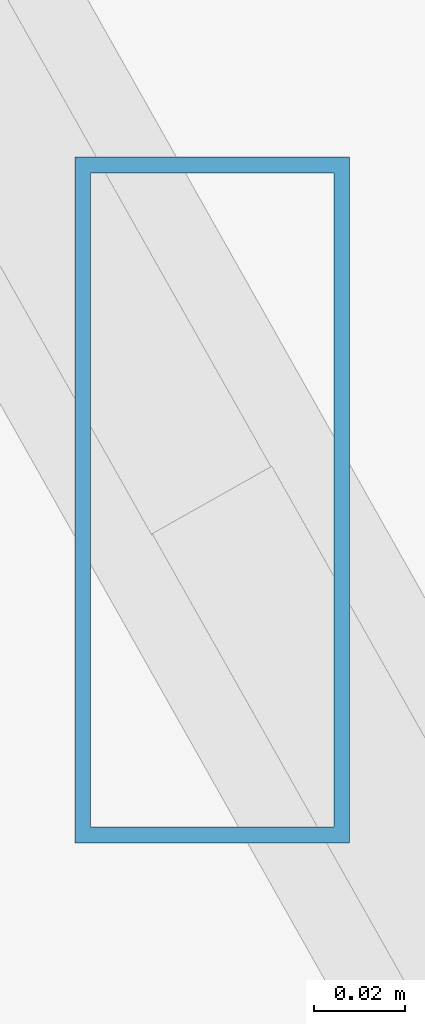
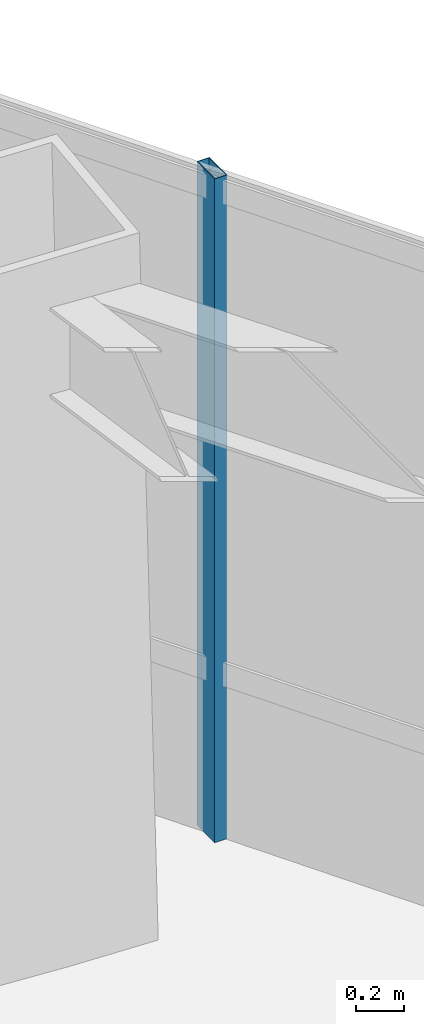
# One storey, part 32 of 42: 1 member, 1 element without a shape of its own.
"""IFC4 building model written with IfcOpenShell, lengths in metres."""

from ifc_helpers import new_model, si_unit, direction, frame, origin, origin_2d, place, context, subcontext, project, spatial, hollow_rectangle, extrude, source, transform, mapped, material, material_profile, profile_set, type_object, type_shapes, element, aggregate, save


model = new_model("IFC4")

# Units and contexts
model_context = context("Model", 3, precision=1e-05, world=origin(), true_north=direction((0.0, 1.0)))
body_context = subcontext(model_context, "Body", "Model", "MODEL_VIEW")
ifc_project = project(units=[si_unit("LENGTHUNIT", "METRE"), si_unit("AREAUNIT", "SQUARE_METRE"), si_unit("VOLUMEUNIT", "CUBIC_METRE"), si_unit("PLANEANGLEUNIT", "RADIAN"), si_unit("MASSUNIT", "GRAM", prefix="KILO")], contexts=[model_context])

# Site, building, storey
site_placement = place(None, origin())
site = spatial("IfcSite", under=ifc_project, at=site_placement, CompositionType="ELEMENT")
building_placement = place(site_placement, origin())
building = spatial("IfcBuilding", under=site, at=building_placement, Name="Caelisora Broadcast Tower", CompositionType="ELEMENT")
storey_placement = place(building_placement, frame((0.0, 0.0, 187.699951171875)))
storey = spatial("IfcBuildingStorey", under=building, at=storey_placement, Name="L49", CompositionType="ELEMENT", Elevation=187.699951171875)

# Curtain wall, member
ifc_material_1 = material(Name="Unitised Aluminium and Low-E Glass Curtain Wall", Category="glass")
curtain_wall_type = type_object("IfcCurtainWallType", Name="CW-Z4", PredefinedType="NOTDEFINED", material=ifc_material_1)
curtain_wall_placement = place(storey_placement, origin())
curtain_wall = element("IfcCurtainWall", 1, at=curtain_wall_placement, inside=storey, type_object=curtain_wall_type, Name="L49 curtain wall CW-Z4", PredefinedType="NOTDEFINED")
ifc_material_2 = material(Name="Aluminium 6063-T6 Anodised Terracotta Bronze", Category="aluminium")
ifc_material_profile = material_profile(ifc_material_2, hollow_rectangle(XDim=0.06005859375, YDim=0.14990234375, WallThickness=0.00341796875, at=origin_2d()), Name="Aluminium 6063-T6 Anodised Terracotta Bronze")
ifc_profile_set = profile_set([ifc_material_profile], Name="Aluminium 6063-T6 Anodised Terracotta Bronze")
member_type = type_object("IfcMemberType", Name="CWM-03", PredefinedType="MULLION", material=ifc_profile_set)
shared_shape = source(origin(), body_context, "Body", "SweptSolid", [
    extrude(hollow_rectangle(XDim=0.06005859375, YDim=0.14990234375, WallThickness=0.00341796875, at=origin_2d()), origin(), (0.0, 0.0, 1.0), 3.400146484375),
])
type_shapes(member_type, [shared_shape])
member_placement = place(storey_placement, frame((44.453125, 46.708251953125, 0.0), z_axis=(0.0, 0.0, 1.0), x_axis=(1.0, 0.0, 0.0)))
member = element("IfcMember", 2, at=member_placement, type_object=member_type, Name="L49-CW-B01 mullion #1", PredefinedType="MULLION", context=body_context, shape_type="MappedRepresentation", body=[
    mapped(shared_shape, transform((0.0, 0.0, 0.0), scale=1.0)),
])
aggregate(curtain_wall, [member])

save(model, "model.ifc")
